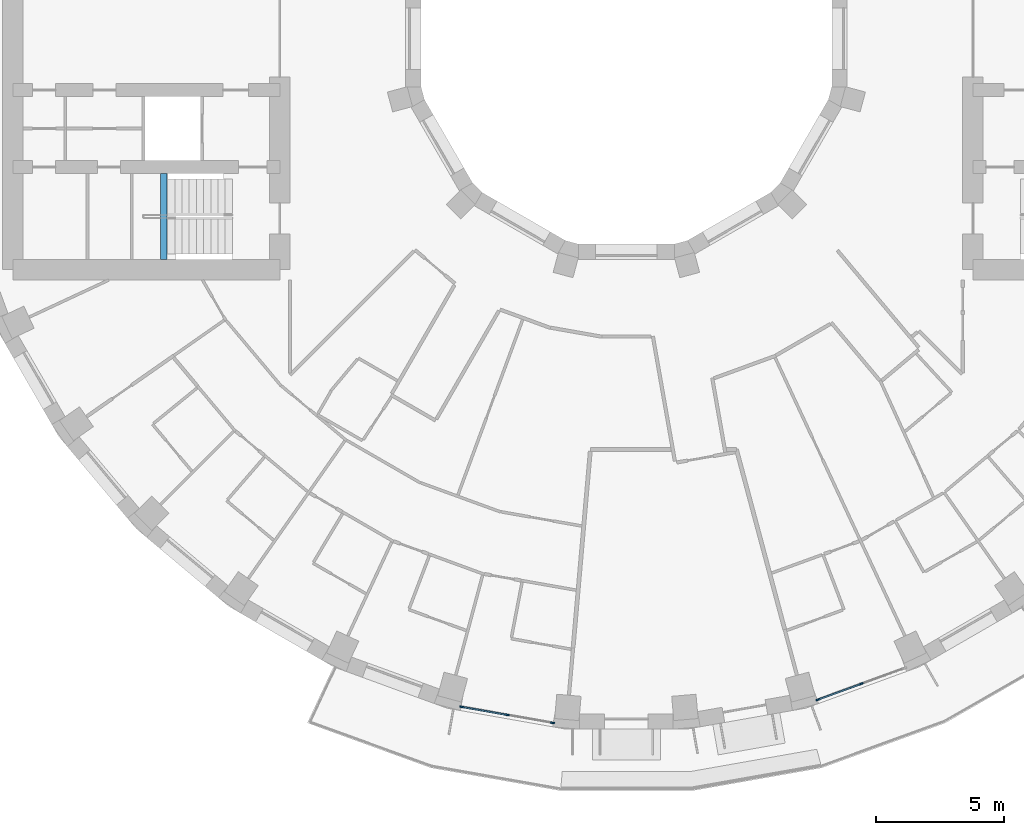
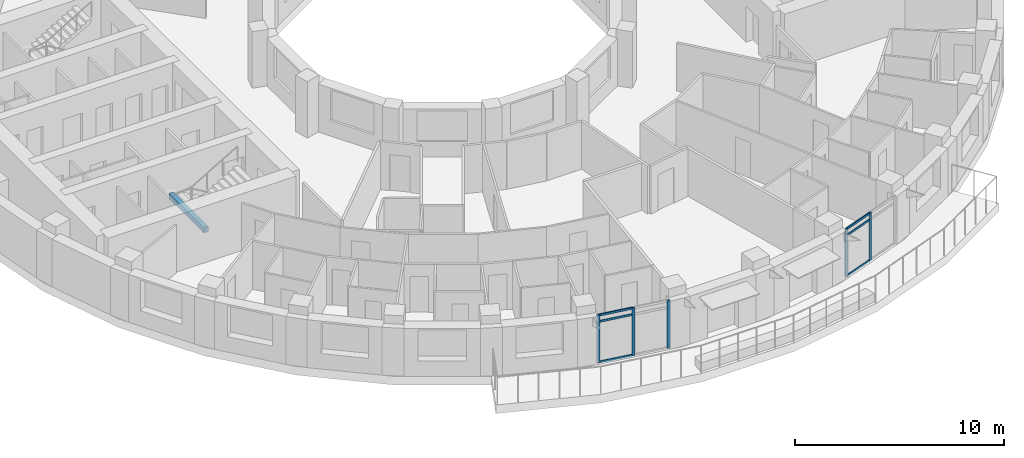
# One storey, part 2 of 16: 11 members, 1 beam, 2 elements without a shape of their own.
"""IFC4 building model written with IfcOpenShell, lengths in metres."""

from ifc_helpers import new_model, si_unit, direction, frame, origin, origin_2d, place, context, subcontext, project, spatial, rectangle, extrude, material, layer, layer_set, material_profile, profile_set, type_object, element, aggregate, save


model = new_model("IFC4")

# Units and contexts
model_context = context("Model", 3, precision=1e-05, world=origin(), true_north=direction((0.0, 1.0)))
body_context = subcontext(model_context, "Body", "Model", "MODEL_VIEW")
ifc_project = project(units=[si_unit("LENGTHUNIT", "METRE"), si_unit("AREAUNIT", "SQUARE_METRE"), si_unit("VOLUMEUNIT", "CUBIC_METRE"), si_unit("PLANEANGLEUNIT", "RADIAN"), si_unit("MASSUNIT", "GRAM", prefix="KILO")], contexts=[model_context])

# Site, building, storey
site_placement = place(None, origin())
site = spatial("IfcSite", under=ifc_project, at=site_placement, CompositionType="ELEMENT")
building_placement = place(site_placement, origin())
building = spatial("IfcBuilding", under=site, at=building_placement, Name="Saqina Gate Tower", CompositionType="ELEMENT")
storey_placement = place(building_placement, frame((0.0, 0.0, 144.699951171875)))
storey = spatial("IfcBuildingStorey", under=building, at=storey_placement, Name="L41", CompositionType="ELEMENT", Elevation=144.699951171875)

# Curtain wall, members
ifc_material_1 = material(Name="Aluminium glazing", Category="aluminium")
ifc_layer = layer(ifc_material_1, 0.159912109375)
ifc_layer_set = layer_set([ifc_layer], Name="CWT-4")
curtain_wall_type = type_object("IfcCurtainWallType", Name="CWT-4", PredefinedType="NOTDEFINED", material=ifc_layer_set)
curtain_wall_1_placement = place(storey_placement, origin())
curtain_wall_1 = element("IfcCurtainWall", 1, at=curtain_wall_1_placement, inside=storey, type_object=curtain_wall_type, Name="Terrace lounge glazing facet 26", PredefinedType="NOTDEFINED")
ifc_material_2 = material(Name="Aluminium", Category="aluminium")
ifc_material_profile_1 = material_profile(ifc_material_2, rectangle(XDim=0.06005859375, YDim=0.159912109375, at=origin_2d()), Name="Aluminium 60x160")
ifc_profile_set_1 = profile_set([ifc_material_profile_1], Name="Aluminium")
member_type_1 = type_object("IfcMemberType", Name="CWT-4M", PredefinedType="MULLION", material=ifc_profile_set_1)
member_1_placement = place(storey_placement, frame((-6.411376953125, -26.029296875, 0.0), z_axis=(0.0, 0.0, 1.0), x_axis=(0.17363832834, 0.984809489664, 0.0)))
member_1 = element("IfcMember", 2, at=member_1_placement, type_object=member_type_1, Name="CW4-26 mullion 1", PredefinedType="MULLION", context=body_context, shape_type="SweptSolid", body=[
    extrude(rectangle(XDim=0.06005859375, YDim=0.159912109375, at=origin_2d()), origin(), (0.0, 0.0, 1.0), 2.800048828125),
])
member_2_placement = place(storey_placement, frame((-4.64453125, -26.3408203125, 0.0), z_axis=(0.0, 0.0, 1.0), x_axis=(0.17363832834, 0.984809489664, 0.0)))
member_2 = element("IfcMember", 3, at=member_2_placement, type_object=member_type_1, Name="CW4-26 mullion 2", PredefinedType="MULLION", context=body_context, shape_type="SweptSolid", body=[
    extrude(rectangle(XDim=0.06005859375, YDim=0.159912109375, at=origin_2d()), origin(), (0.0, 0.0, 1.0), 2.800048828125),
])
member_3_placement = place(storey_placement, frame((-2.8779296875, -26.65234375, 0.0), z_axis=(0.0, 0.0, 1.0), x_axis=(0.17363832834, 0.984809489664, 0.0)))
member_3 = element("IfcMember", 4, at=member_3_placement, type_object=member_type_1, Name="CW4-26 mullion 3", PredefinedType="MULLION", context=body_context, shape_type="SweptSolid", body=[
    extrude(rectangle(XDim=0.06005859375, YDim=0.159912109375, at=origin_2d()), origin(), (0.0, 0.0, 1.0), 2.800048828125),
])

curtain_wall_2_placement = place(storey_placement, origin())
curtain_wall_2 = element("IfcCurtainWall", 5, at=curtain_wall_2_placement, inside=storey, type_object=curtain_wall_type, Name="Terrace lounge glazing facet 29", PredefinedType="NOTDEFINED")
member_4_placement = place(storey_placement, frame((7.46240234375, -25.747802734375, 0.0), z_axis=(0.0, 0.0, 1.0), x_axis=(-0.342015987197, 0.939694133483, 0.0)))
member_4 = element("IfcMember", 6, at=member_4_placement, type_object=member_type_1, Name="CW4-29 mullion 1", PredefinedType="MULLION", context=body_context, shape_type="SweptSolid", body=[
    extrude(rectangle(XDim=0.06005859375, YDim=0.159912109375, at=origin_2d()), origin(), (0.0, 0.0, 1.0), 2.800048828125),
])
member_5_placement = place(storey_placement, frame((9.148193359375, -25.13427734375, 0.0), z_axis=(0.0, 0.0, 1.0), x_axis=(-0.342015987197, 0.939694133483, 0.0)))
member_5 = element("IfcMember", 7, at=member_5_placement, type_object=member_type_1, Name="CW4-29 mullion 2", PredefinedType="MULLION", context=body_context, shape_type="SweptSolid", body=[
    extrude(rectangle(XDim=0.06005859375, YDim=0.159912109375, at=origin_2d()), origin(), (0.0, 0.0, 1.0), 2.800048828125),
])

# Member
ifc_material_3 = material(Name="Aluminium", Category="aluminium")
ifc_material_profile_2 = material_profile(ifc_material_3, rectangle(XDim=0.06005859375, YDim=0.1201171875, at=origin_2d()), Name="Aluminium 60x120")
ifc_profile_set_2 = profile_set([ifc_material_profile_2], Name="Aluminium")
member_type_2 = type_object("IfcMemberType", Name="CWT-4T", PredefinedType="USERDEFINED", material=ifc_profile_set_2)
member_6_placement = place(storey_placement, frame((-6.381591796875, -26.03466796875, 0.030029296875), z_axis=(0.98481331257, -0.173616644895, 0.0), x_axis=(0.173616644895, 0.98481331257, 0.0)))
member_6 = element("IfcMember", 8, at=member_6_placement, type_object=member_type_2, Name="CW4-26 transom 1.1", ObjectType="TRANSOM", PredefinedType="USERDEFINED", context=body_context, shape_type="SweptSolid", body=[
    extrude(rectangle(XDim=0.06005859375, YDim=0.1201171875, at=origin_2d()), origin(), (0.0, 0.0, 1.0), 1.73388671875),
])

member_7_placement = place(storey_placement, frame((-6.381591796875, -26.03466796875, 2.400146484375), z_axis=(0.98481331257, -0.173616644895, 0.0), x_axis=(0.173616644895, 0.98481331257, 0.0)))
member_7 = element("IfcMember", 9, at=member_7_placement, type_object=member_type_2, Name="CW4-26 transom 1.2", ObjectType="TRANSOM", PredefinedType="USERDEFINED", context=body_context, shape_type="SweptSolid", body=[
    extrude(rectangle(XDim=0.06005859375, YDim=0.1201171875, at=origin_2d()), origin(), (0.0, 0.0, 1.0), 1.73388671875),
])

member_8_placement = place(storey_placement, frame((-6.381591796875, -26.03466796875, 2.77001953125), z_axis=(0.98481331257, -0.173616644895, 0.0), x_axis=(0.173616644895, 0.98481331257, 0.0)))
member_8 = element("IfcMember", 10, at=member_8_placement, type_object=member_type_2, Name="CW4-26 transom 1.3", ObjectType="TRANSOM", PredefinedType="USERDEFINED", context=body_context, shape_type="SweptSolid", body=[
    extrude(rectangle(XDim=0.06005859375, YDim=0.1201171875, at=origin_2d()), origin(), (0.0, 0.0, 1.0), 1.73388671875),
])

aggregate(curtain_wall_1, [member_1, member_2, member_3, member_6, member_7, member_8])

member_9_placement = place(storey_placement, frame((7.490478515625, -25.737548828125, 0.030029296875), z_axis=(0.93969883573, 0.342003067424, 0.0), x_axis=(-0.342003067424, 0.93969883573, 0.0)))
member_9 = element("IfcMember", 11, at=member_9_placement, type_object=member_type_2, Name="CW4-29 transom 1.1", ObjectType="TRANSOM", PredefinedType="USERDEFINED", context=body_context, shape_type="SweptSolid", body=[
    extrude(rectangle(XDim=0.06005859375, YDim=0.1201171875, at=origin_2d()), origin(), (0.0, 0.0, 1.0), 1.73388671875),
])

member_10_placement = place(storey_placement, frame((7.490478515625, -25.737548828125, 2.400146484375), z_axis=(0.93969883573, 0.342003067424, 0.0), x_axis=(-0.342003067424, 0.93969883573, 0.0)))
member_10 = element("IfcMember", 12, at=member_10_placement, type_object=member_type_2, Name="CW4-29 transom 1.2", ObjectType="TRANSOM", PredefinedType="USERDEFINED", context=body_context, shape_type="SweptSolid", body=[
    extrude(rectangle(XDim=0.06005859375, YDim=0.1201171875, at=origin_2d()), origin(), (0.0, 0.0, 1.0), 1.73388671875),
])

member_11_placement = place(storey_placement, frame((7.490478515625, -25.737548828125, 2.77001953125), z_axis=(0.93969883573, 0.342003067424, 0.0), x_axis=(-0.342003067424, 0.93969883573, 0.0)))
member_11 = element("IfcMember", 13, at=member_11_placement, type_object=member_type_2, Name="CW4-29 transom 1.3", ObjectType="TRANSOM", PredefinedType="USERDEFINED", context=body_context, shape_type="SweptSolid", body=[
    extrude(rectangle(XDim=0.06005859375, YDim=0.1201171875, at=origin_2d()), origin(), (0.0, 0.0, 1.0), 1.73388671875),
])

aggregate(curtain_wall_2, [member_4, member_5, member_9, member_10, member_11])

# Beam
ifc_material_4 = material(Name="Concrete C40/50", Category="concrete")
ifc_material_profile_3 = material_profile(ifc_material_4, rectangle(XDim=0.25, YDim=0.300048828125, at=origin_2d()), Name="STAIR LANDING BEAM")
ifc_profile_set_3 = profile_set([ifc_material_profile_3], Name="Concrete C40/50")
beam_type = type_object("IfcBeamType", Name="STAIR LANDING BEAM", PredefinedType="BEAM", material=ifc_profile_set_3)
beam_placement = place(storey_placement, frame((-18.02001953125, -8.60009765625, 1.25), z_axis=(0.0, 1.0, 0.0), x_axis=(-1.0, 0.0, 0.0)))
element("IfcBeam", 14, at=beam_placement, inside=storey, type_object=beam_type, Name="EXIT STAIR 4 LANDING BEAM", PredefinedType="BEAM", context=body_context, shape_type="SweptSolid", body=[
    extrude(rectangle(XDim=0.25, YDim=0.300048828125, at=origin_2d()), origin(), (0.0, 0.0, 1.0), 3.35009765625),
])

save(model, "model.ifc")
